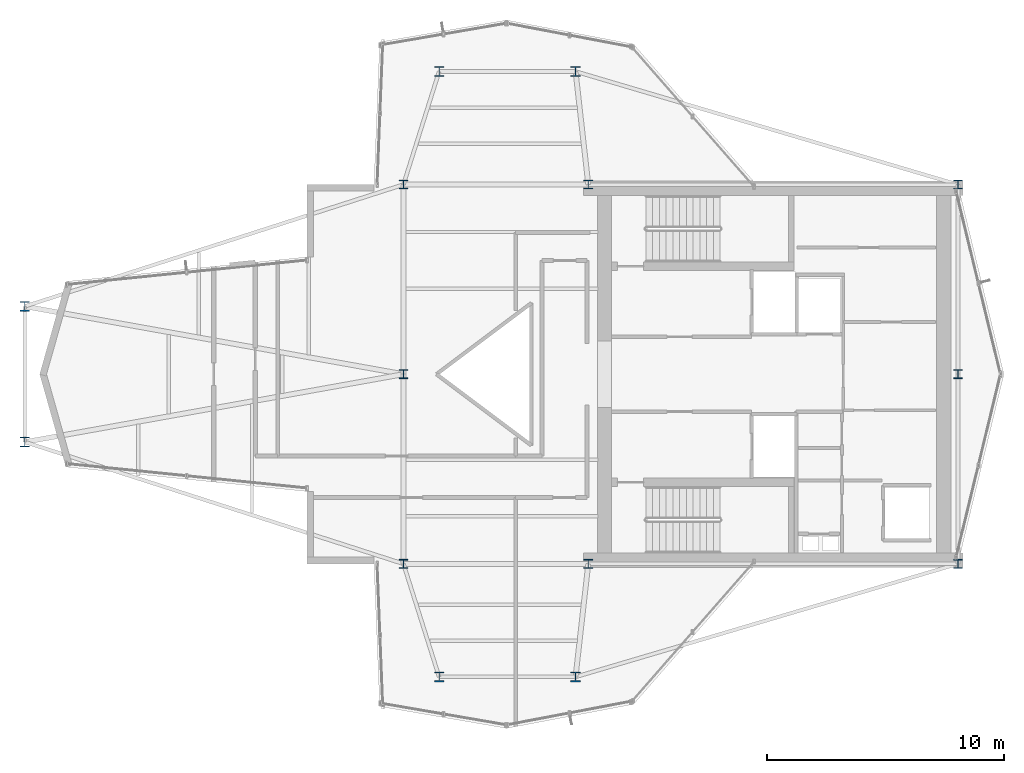
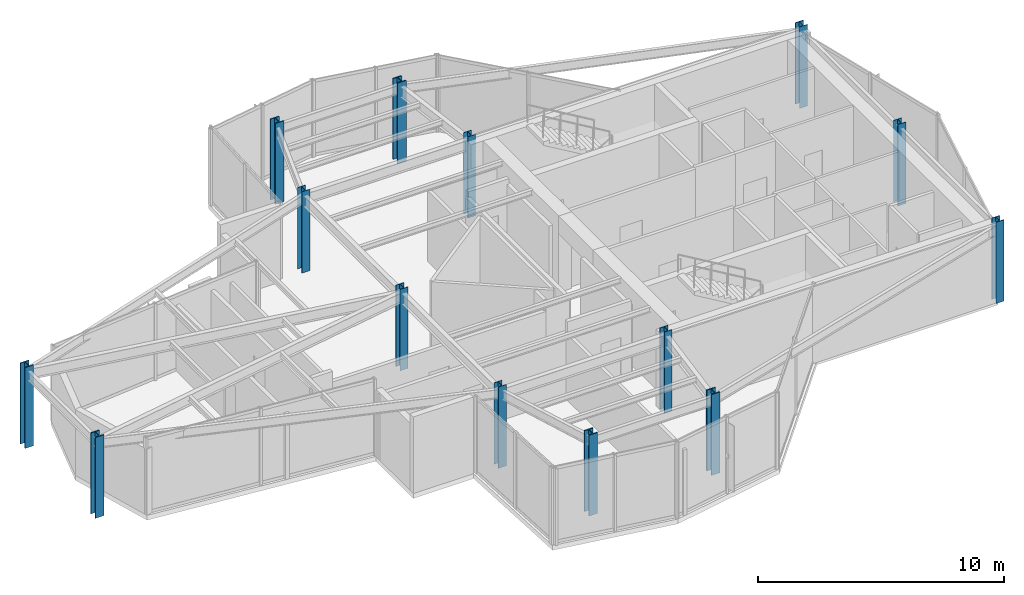
# One storey, part 1 of 15: 14 columns.
"""IFC4 building model written with IfcOpenShell, lengths in metres."""

import ifcopenshell
import ifcopenshell.guid

model = None  # the IFC model being written
_history = None  # IfcOwnerHistory: only IFC2X3 demands one
_inside = {}  # id of a spatial element -> (the spatial element, [elements in it])
_under = {}  # id of a project, library or spatial element -> (it, [spatial elements below it])
_declared = {}  # id of a project -> (the project, [libraries it declares])
_typed = {}  # id of a type object -> (the type object, [elements of that type])
_made_of = {}  # id of a material, layer set ... -> (it, [elements and type objects made of it])


def new_model(schema):
    """Start an empty IFC model of exactly this schema.

    Asked for "IFC4X3", IfcOpenShell would pick the latest addendum, in which some entities
    have other attributes; the version numbers below select the first issue.
    IFC2X3 requires an IfcOwnerHistory on every rooted entity: one is made here for all.
    """
    global model, _history
    if schema == "IFC4X3":
        model = ifcopenshell.file(schema_version=(4, 3, 0, 0))
    else:
        model = ifcopenshell.file(schema=schema)
    _inside.clear()
    _under.clear()
    _declared.clear()
    _typed.clear()
    _made_of.clear()
    _history = None
    if model.schema == "IFC2X3":
        org = make("IfcOrganization", Name="unknown")
        user = make(
            "IfcPersonAndOrganization",
            ThePerson=make("IfcPerson", FamilyName="unknown"),
            TheOrganization=org,
        )
        app = make(
            "IfcApplication",
            ApplicationDeveloper=org,
            Version="unknown",
            ApplicationFullName="unknown",
            ApplicationIdentifier="unknown",
        )
        _history = make(
            "IfcOwnerHistory",
            OwningUser=user,
            OwningApplication=app,
            ChangeAction="ADDED",
            CreationDate=0,
        )
    return model


def make(cls, **values):
    """One entity of the class cls with the attributes given. An attribute that is None is left unset."""
    return model.create_entity(
        cls, **{name: value for name, value in values.items() if value is not None}
    )


def rooted(cls, **values):
    """An entity with a GlobalId (a new one), such as an element, a storey or a relation."""
    return make(cls, GlobalId=ifcopenshell.guid.new(), OwnerHistory=_history, **values)


def si_unit(unit_type, name, prefix=None):
    """IfcSIUnit, for example si_unit("LENGTHUNIT", "METRE", prefix="MILLI")."""
    return make("IfcSIUnit", UnitType=unit_type, Prefix=prefix, Name=name)


def assignment(units):
    """IfcUnitAssignment: the units of a project."""
    return None if units is None else make("IfcUnitAssignment", Units=units)


def point(xyz):
    """IfcCartesianPoint."""
    return None if xyz is None else make("IfcCartesianPoint", Coordinates=xyz)


def direction(xyz):
    """IfcDirection."""
    return None if xyz is None else make("IfcDirection", DirectionRatios=xyz)


def frame(location, z_axis=None, x_axis=None):
    """IfcAxis2Placement3D, a coordinate frame: its origin and axes. An axis left out is left unset."""
    return make(
        "IfcAxis2Placement3D",
        Location=point(location),
        Axis=direction(z_axis),
        RefDirection=direction(x_axis),
    )


def frame_2d(location, x_axis=None):
    """IfcAxis2Placement2D, a coordinate frame in the plane: its origin and x axis."""
    return make(
        "IfcAxis2Placement2D", Location=point(location), RefDirection=direction(x_axis)
    )


def origin():
    """The frame at (0, 0, 0) with its axes left unset."""
    return frame((0.0, 0.0, 0.0))


def origin_2d():
    """The frame at (0, 0) in the plane with its x axis left unset."""
    return frame_2d((0.0, 0.0))


def place(relative_to, where):
    """IfcLocalPlacement: puts the frame where relative to a parent placement (None: the world)."""
    return make(
        "IfcLocalPlacement", PlacementRelTo=relative_to, RelativePlacement=where
    )


def context(
    kind, dimensions, precision=None, world=None, true_north=None, identifier=None
):
    """IfcGeometricRepresentationContext, for example the 3D "Model" context."""
    return make(
        "IfcGeometricRepresentationContext",
        ContextIdentifier=identifier,
        ContextType=kind,
        CoordinateSpaceDimension=dimensions,
        Precision=precision,
        WorldCoordinateSystem=world,
        TrueNorth=true_north,
    )


def subcontext(parent, identifier, kind, view, scale=None):
    """IfcGeometricRepresentationSubContext, for example "Body" below "Model"."""
    return make(
        "IfcGeometricRepresentationSubContext",
        ContextIdentifier=identifier,
        ContextType=kind,
        ParentContext=parent,
        TargetScale=scale,
        TargetView=view,
    )


def project(units=None, contexts=None):
    """IfcProject with its units and contexts."""
    return rooted(
        "IfcProject",
        Name="project",
        RepresentationContexts=contexts,
        UnitsInContext=assignment(units),
    )


def spatial(cls, under=None, at=None, **own):
    """A site, building, storey or space (cls), placed at a placement, below another one or the project."""
    s = rooted(cls, ObjectPlacement=at, **own)
    if under is not None:
        _under.setdefault(under.id(), (under, []))[1].append(s)
    return s


def profile(cls, at=None, kind="AREA", **sizes):
    """A parametric profile (cls). Its sizes go by their IFC names, for example OverallWidth=200.0."""
    return make(cls, ProfileType=kind, Position=at, **sizes)


def i_section(**sizes):
    """IfcIShapeProfileDef."""
    return profile("IfcIShapeProfileDef", **sizes)


def extrude(swept, where, along, depth):
    """IfcExtrudedAreaSolid: the profile swept, set in the frame where, extruded along a direction by depth."""
    return make(
        "IfcExtrudedAreaSolid",
        SweptArea=swept,
        Position=where,
        ExtrudedDirection=direction(along),
        Depth=depth,
    )


def shape(context_of_items, identifier, shape_type, items):
    """IfcShapeRepresentation: the items that make up one representation, for example the "Body"."""
    return make(
        "IfcShapeRepresentation",
        ContextOfItems=context_of_items,
        RepresentationIdentifier=identifier,
        RepresentationType=shape_type,
        Items=items,
    )


def material(Name=None, Category=None):
    """IfcMaterial."""
    return make("IfcMaterial", Name=Name, Category=Category)


def material_profile(
    of_material, cross_section, Name=None, Category=None, Priority=None
):
    """IfcMaterialProfile: a cross section and its material."""
    return make(
        "IfcMaterialProfile",
        Name=Name,
        Material=of_material,
        Profile=cross_section,
        Priority=Priority,
        Category=Category,
    )


def profile_set(profiles, Name=None, composite=None):
    """IfcMaterialProfileSet."""
    return make(
        "IfcMaterialProfileSet",
        Name=Name,
        MaterialProfiles=profiles,
        CompositeProfile=composite,
    )


def made_of(thing, what):
    """Note that an element or type object is made of a material, layer set ...; save() writes the relation."""
    if what is not None:
        _made_of.setdefault(what.id(), (what, []))[1].append(thing)
    return thing


def type_object(cls, material=None, **own):
    """A type object (cls), such as IfcWallType, which elements share."""
    return made_of(rooted(cls, **own), material)


def element(
    cls,
    number,
    at=None,
    inside=None,
    cuts=None,
    type_object=None,
    material=None,
    context=None,
    identifier="Body",
    shape_type=None,
    held_by="IfcProductDefinitionShape",
    body=None,
    shapes=None,
    **own,
):
    """One element of the class cls, such as IfcWall. Its Tag is "e" and its number.

    at: its placement. inside: the storey or other place that contains it. cuts: it is an
    opening in that element (IfcRelVoidsElement). A single representation is given by context,
    identifier, shape_type and body (its items); several are given by shapes. held_by: the class
    of the entity that holds the representations. save() writes the other relations.
    """
    e = rooted(cls, Tag="e%d" % number, ObjectPlacement=at, **own)
    if body is not None:
        shapes = [shape(context, identifier, shape_type, body)]
    if shapes is not None:
        e.Representation = make(held_by, Representations=shapes)
    if inside is not None:
        _inside.setdefault(inside.id(), (inside, []))[1].append(e)
    if cuts is not None:
        rooted(
            "IfcRelVoidsElement", RelatingBuildingElement=cuts, RelatedOpeningElement=e
        )
    if type_object is not None:
        _typed.setdefault(type_object.id(), (type_object, []))[1].append(e)
    return made_of(e, material)


def aggregate(whole, parts):
    """IfcRelAggregates: a whole, such as a stair, and the parts it consists of."""
    return rooted("IfcRelAggregates", RelatingObject=whole, RelatedObjects=parts)


def save(model, path):
    """Write the relations noted so far, then the file.

    IfcRelAggregates (storeys below a building ...), IfcRelContainedInSpatialStructure (elements
    in a storey), IfcRelDefinesByType, IfcRelAssociatesMaterial and IfcRelDeclares: one each for
    every whole, place, type object, material and project.
    """
    for whole, parts in _under.values():
        aggregate(whole, parts)
    for where, things in _inside.values():
        rooted(
            "IfcRelContainedInSpatialStructure",
            RelatedElements=things,
            RelatingStructure=where,
        )
    for kind, things in _typed.values():
        rooted("IfcRelDefinesByType", RelatedObjects=things, RelatingType=kind)
    for what, things in _made_of.values():
        rooted("IfcRelAssociatesMaterial", RelatedObjects=things, RelatingMaterial=what)
    for by, libraries in _declared.values():
        rooted("IfcRelDeclares", RelatingContext=by, RelatedDefinitions=libraries)
    model.write(path)


model = new_model("IFC4")

# Units and contexts
model_context = context("Model", 3, precision=1e-05, world=origin(), true_north=direction((0.0, 1.0)))
body_context = subcontext(model_context, "Body", "Model", "MODEL_VIEW")
ifc_project = project(units=[si_unit("LENGTHUNIT", "METRE"), si_unit("AREAUNIT", "SQUARE_METRE"), si_unit("VOLUMEUNIT", "CUBIC_METRE"), si_unit("PLANEANGLEUNIT", "RADIAN"), si_unit("MASSUNIT", "GRAM", prefix="KILO")], contexts=[model_context])

# Site, building, storey
site_placement = place(None, origin())
site = spatial("IfcSite", under=ifc_project, at=site_placement, CompositionType="ELEMENT")
building_placement = place(site_placement, origin())
building = spatial("IfcBuilding", under=site, at=building_placement, Name="Veymaron Broadcast Tower", CompositionType="ELEMENT")
storey_placement = place(building_placement, frame((0.0, 0.0, 266.85009765625)))
storey = spatial("IfcBuildingStorey", under=building, at=storey_placement, Name="L62", CompositionType="ELEMENT", Elevation=266.85009765625)

# Columns
ifc_material_1 = material(Name="Structural steel ASTM A992 Gr 50", Category="steel")
ifc_material_profile_1 = material_profile(ifc_material_1, i_section(OverallWidth=0.373046875, OverallDepth=0.367919921875, WebThickness=0.014892578125, FlangeThickness=0.02392578125, at=origin_2d()), Name="W360X179")
ifc_profile_set_1 = profile_set([ifc_material_profile_1], Name="Structural steel ASTM A992 Gr 50")
column_type_1 = type_object("IfcColumnType", Name="COL-HC4", PredefinedType="COLUMN", material=ifc_profile_set_1)
for number, where, z_axis, x_axis, name in (
    (1, (31.199951171875, 16.0, 0.0), (0.0, 0.0, 1.0), (1.0, 0.0, 0.0), "L62 structural hub and core column"),
    (2, (31.199951171875, 24.0, 0.0), (0.0, 0.0, 1.0), (1.0, 0.0, 0.0), "L62 structural hub and core column"),
    (3, (31.199951171875, 32.0, 0.0), (0.0, 0.0, 1.0), (1.0, 0.0, 0.0), "L62 structural hub and core column"),
    (4, (39.0, 16.0, 0.0), (0.0, 0.0, 1.0), (1.0, 0.0, 0.0), "L62 structural hub and core column"),
    (5, (39.0, 32.0, 0.0), (0.0, 0.0, 1.0), (1.0, 0.0, 0.0), "L62 structural hub and core column"),
    (6, (54.60009765625, 16.0, 0.0), (0.0, 0.0, 1.0), (1.0, 0.0, 0.0), "L62 structural hub and core column"),
    (7, (54.60009765625, 24.0, 0.0), (0.0, 0.0, 1.0), (1.0, 0.0, 0.0), "L62 structural hub and core column"),
    (8, (54.60009765625, 32.0, 0.0), (0.0, 0.0, 1.0), (1.0, 0.0, 0.0), "L62 structural hub and core column"),
):
    element("IfcColumn", number, at=place(storey_placement, frame(where, z_axis=z_axis, x_axis=x_axis)), inside=storey, type_object=column_type_1, Name=name, PredefinedType="COLUMN", context=body_context, shape_type="SweptSolid", body=[
        extrude(i_section(OverallWidth=0.373046875, OverallDepth=0.367919921875, WebThickness=0.014892578125, FlangeThickness=0.02392578125, at=origin_2d()), origin(), (0.0, 0.0, 1.0), 4.0439453125),
    ])
ifc_material_2 = material(Name="Structural steel ASTM A913 Gr 65", Category="steel")
ifc_material_profile_2 = material_profile(ifc_material_2, i_section(OverallWidth=0.406005859375, OverallDepth=0.416015625, WebThickness=0.02978515625, FlangeThickness=0.048095703125, at=origin_2d()), Name="W360X382")
ifc_profile_set_2 = profile_set([ifc_material_profile_2], Name="Structural steel ASTM A913 Gr 65")
column_type_2 = type_object("IfcColumnType", Name="COL-MC4", PredefinedType="COLUMN", material=ifc_profile_set_2)
for number, where, z_axis, x_axis, name in (
    (9, (15.224365234375, 21.137939453125, 0.015869140625), (0.0, 0.0, 1.0), (1.0, 0.0, 0.0), "L62 Tapered Wing Mega Column"),
    (10, (15.224365234375, 26.862060546875, 0.015869140625), (0.0, 0.0, 1.0), (1.0, 0.0, 0.0), "L62 Tapered Wing Mega Column"),
    (11, (32.706298828125, 36.77197265625, 0.015869140625), (0.0, 0.0, 1.0), (1.0, 0.0, 0.0), "L62 Tapered Wing Mega Column"),
    (12, (38.4619140625, 36.77197265625, 0.015869140625), (0.0, 0.0, 1.0), (1.0, 0.0, 0.0), "L62 Tapered Wing Mega Column"),
    (13, (32.706298828125, 11.22802734375, 0.015869140625), (0.0, 0.0, 1.0), (1.0, 0.0, 0.0), "L62 Tapered Wing Mega Column"),
    (14, (38.4619140625, 11.22802734375, 0.015869140625), (0.0, 0.0, 1.0), (1.0, 0.0, 0.0), "L62 Tapered Wing Mega Column"),
):
    element("IfcColumn", number, at=place(storey_placement, frame(where, z_axis=z_axis, x_axis=x_axis)), inside=storey, type_object=column_type_2, Name=name, PredefinedType="COLUMN", context=body_context, shape_type="SweptSolid", body=[
        extrude(i_section(OverallWidth=0.406005859375, OverallDepth=0.416015625, WebThickness=0.02978515625, FlangeThickness=0.048095703125, at=origin_2d()), origin(), (0.0, 0.0, 1.0), 4.01806640625),
    ])

save(model, "model.ifc")
